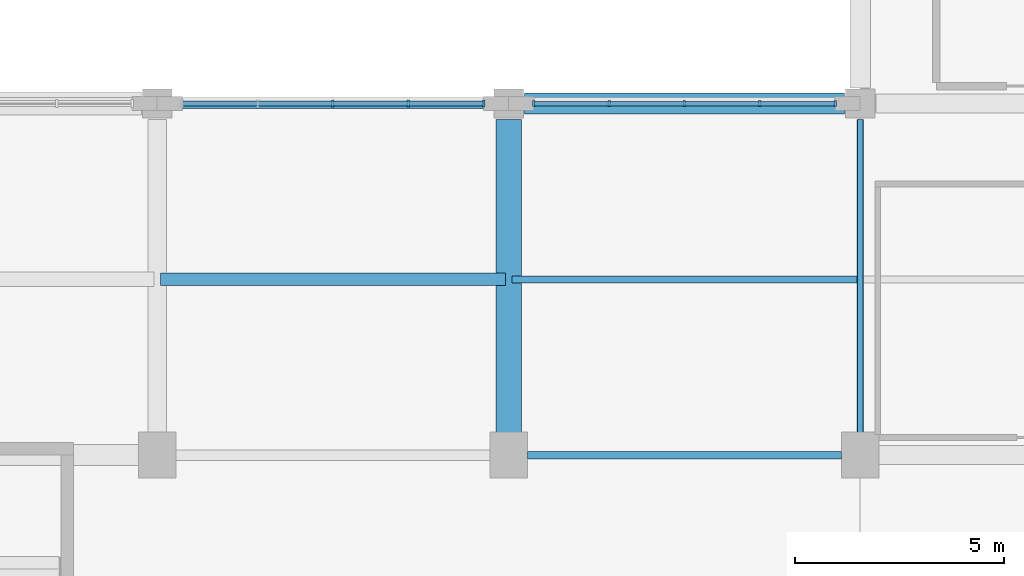
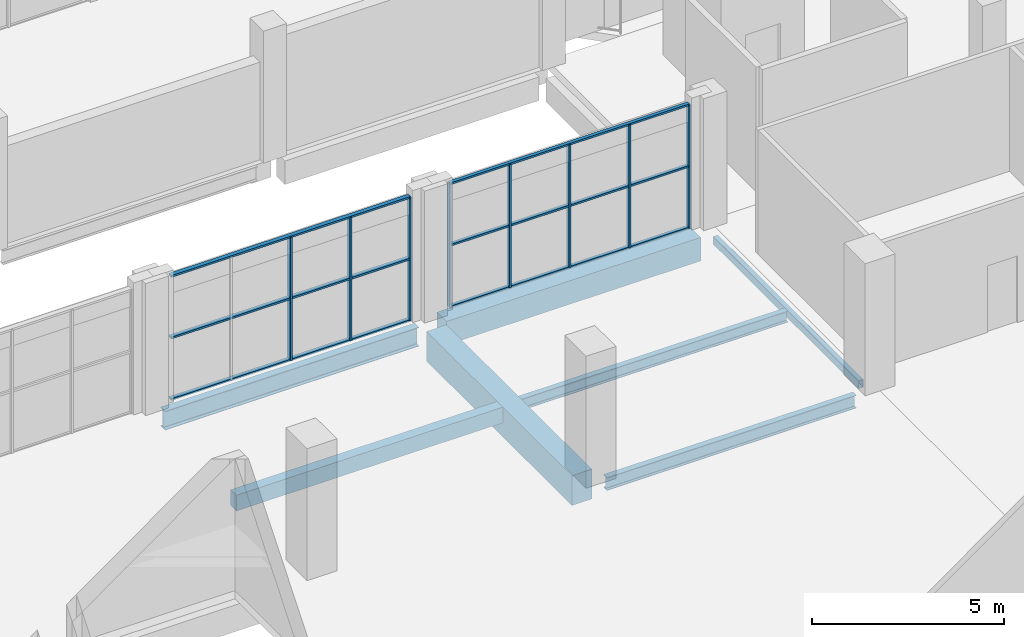
# One storey, part 22 of 59: 14 members, 7 beams, 2 elements without a shape of their own.
"""IFC4 building model written with IfcOpenShell, lengths in metres."""

from ifc_helpers import new_model, si_unit, derived_unit, direction, frame, origin, origin_2d, place, context, subcontext, project, spatial, rectangle, hollow_rectangle, i_section, extrude, material, material_profile, profile_set, type_object, element, aggregate, save


model = new_model("IFC4")

# Units and contexts
model_context = context("Model", 3, precision=1e-05, world=origin(), true_north=direction((0.0, 1.0)))
body_context = subcontext(model_context, "Body", "Model", "MODEL_VIEW")
ifc_project = project(units=[si_unit("LENGTHUNIT", "METRE"), si_unit("AREAUNIT", "SQUARE_METRE"), si_unit("VOLUMEUNIT", "CUBIC_METRE"), si_unit("PLANEANGLEUNIT", "RADIAN"), si_unit("MASSUNIT", "GRAM", prefix="KILO"), derived_unit("THERMALTRANSMITTANCEUNIT", [(si_unit("POWERUNIT", "WATT"), 1), (si_unit("LENGTHUNIT", "METRE"), -2), (si_unit("THERMODYNAMICTEMPERATUREUNIT", "KELVIN"), -1)])], contexts=[model_context])

# Site, building, storey
site_placement = place(None, origin())
site = spatial("IfcSite", under=ifc_project, at=site_placement, CompositionType="ELEMENT")
building_placement = place(site_placement, origin())
building = spatial("IfcBuilding", under=site, at=building_placement, Name="Barrovel Congress Hotel", CompositionType="ELEMENT")
storey_placement = place(building_placement, frame((0.0, 0.0, 9.89990234375)))
storey = spatial("IfcBuildingStorey", under=building, at=storey_placement, Name="L02", CompositionType="ELEMENT", Elevation=9.89990234375)

# Beams
ifc_material_1 = material(Name="Concrete C40", Category="concrete")
ifc_material_profile_1 = material_profile(ifc_material_1, rectangle(XDim=0.300048828125, YDim=0.5, at=origin_2d()), Name="RC300x500")
ifc_profile_set_1 = profile_set([ifc_material_profile_1], Name="Concrete C40")
beam_type_1 = type_object("IfcBeamType", Name="BM-RC300x500", PredefinedType="JOIST", material=ifc_profile_set_1)
beam_1_placement = place(storey_placement, frame((109.280029296875, 25.199951171875, -0.510009765625), z_axis=(1.0, 0.0, 0.0), x_axis=(0.0, 1.0, 0.0)))
element("IfcBeam", 1, at=beam_1_placement, inside=storey, type_object=beam_type_1, Name="JST:L02:109.2:25.2", PredefinedType="JOIST", context=body_context, shape_type="SweptSolid", body=[
    extrude(rectangle(XDim=0.300048828125, YDim=0.5, at=origin_2d()), origin(), (0.0, 0.0, 1.0), 8.239990234375),
])
ifc_material_profile_2 = material_profile(ifc_material_1, rectangle(XDim=0.5, YDim=0.75, at=origin_2d()), Name="RC500x750")
ifc_profile_set_2 = profile_set([ifc_material_profile_2], Name="Concrete C40")
beam_type_2 = type_object("IfcBeamType", Name="BM-RC500x750", PredefinedType="BEAM", material=ifc_profile_set_2)
beam_2_placement = place(storey_placement, frame((117.97509765625, 29.39990234375, -0.635009765625), z_axis=(1.0, 0.0, 0.0), x_axis=(0.0, 1.0, 0.0)))
element("IfcBeam", 2, at=beam_2_placement, inside=storey, type_object=beam_type_2, Name="BMX:L02:29.4:117.6-126.0", PredefinedType="BEAM", context=body_context, shape_type="SweptSolid", body=[
    extrude(rectangle(XDim=0.5, YDim=0.75, at=origin_2d()), origin(), (0.0, 0.0, 1.0), 7.64990234375),
])
ifc_material_profile_3 = material_profile(ifc_material_1, rectangle(XDim=0.60009765625, YDim=0.949951171875, at=origin_2d()), Name="RC600x950")
ifc_profile_set_3 = profile_set([ifc_material_profile_3], Name="Concrete C40")
beam_type_3 = type_object("IfcBeamType", Name="BM-RC600x950", PredefinedType="BEAM", material=ifc_profile_set_3)
beam_3_placement = place(storey_placement, frame((117.60009765625, 21.449951171875, -0.73486328125), z_axis=(0.0, 1.0, 0.0), x_axis=(-1.0, 0.0, 0.0)))
element("IfcBeam", 3, at=beam_3_placement, inside=storey, type_object=beam_type_3, Name="BMY:L02:117.6:21.0-29.4", PredefinedType="BEAM", context=body_context, shape_type="SweptSolid", body=[
    extrude(rectangle(XDim=0.60009765625, YDim=0.949951171875, at=origin_2d()), origin(), (0.0, 0.0, 1.0), 7.574951171875),
])

# Curtain wall, members
ifc_material_2 = material(Name="Anodised Aluminium Alloy 6063-T6", Category="aluminium")
curtain_wall_type = type_object("IfcCurtainWallType", Name="CW-ST-7200x3600", PredefinedType="USERDEFINED", material=ifc_material_2)
curtain_wall_1_placement = place(storey_placement, origin())
curtain_wall_1 = element("IfcCurtainWall", 4, at=curtain_wall_1_placement, inside=storey, type_object=curtain_wall_type, Name="CW:L02:CS:14", ObjectType="STICK CURTAIN WALL", PredefinedType="USERDEFINED")
ifc_material_profile_4 = material_profile(ifc_material_2, rectangle(XDim=0.06005859375, YDim=0.139892578125, at=origin_2d()), Name="AL-M60x140")
ifc_profile_set_4 = profile_set([ifc_material_profile_4], Name="Anodised Aluminium Alloy 6063-T6")
member_type_1 = type_object("IfcMemberType", Name="CWM-AL-M60x140", PredefinedType="MULLION", material=ifc_profile_set_4)
member_1_placement = place(storey_placement, frame((125.39990234375, 29.39990234375, 0.0), z_axis=(0.0, 0.0, 1.0), x_axis=(1.0, 0.0, 0.0)))
member_1 = element("IfcMember", 5, at=member_1_placement, type_object=member_type_1, Name="CW:L02:CS:14:M0", PredefinedType="MULLION", context=body_context, shape_type="SweptSolid", body=[
    extrude(rectangle(XDim=0.06005859375, YDim=0.139892578125, at=origin_2d()), origin(), (0.0, 0.0, 1.0), 3.920166015625),
])
member_2_placement = place(storey_placement, frame((123.60009765625, 29.39990234375, 0.0), z_axis=(0.0, 0.0, 1.0), x_axis=(1.0, 0.0, 0.0)))
member_2 = element("IfcMember", 6, at=member_2_placement, type_object=member_type_1, Name="CW:L02:CS:14:M1", PredefinedType="MULLION", context=body_context, shape_type="SweptSolid", body=[
    extrude(rectangle(XDim=0.06005859375, YDim=0.139892578125, at=origin_2d()), origin(), (0.0, 0.0, 1.0), 3.920166015625),
])
member_3_placement = place(storey_placement, frame((121.800048828125, 29.39990234375, 0.0), z_axis=(0.0, 0.0, 1.0), x_axis=(1.0, 0.0, 0.0)))
member_3 = element("IfcMember", 7, at=member_3_placement, type_object=member_type_1, Name="CW:L02:CS:14:M2", PredefinedType="MULLION", context=body_context, shape_type="SweptSolid", body=[
    extrude(rectangle(XDim=0.06005859375, YDim=0.139892578125, at=origin_2d()), origin(), (0.0, 0.0, 1.0), 3.920166015625),
])
member_4_placement = place(storey_placement, frame((120.0, 29.39990234375, 0.0), z_axis=(0.0, 0.0, 1.0), x_axis=(1.0, 0.0, 0.0)))
member_4 = element("IfcMember", 8, at=member_4_placement, type_object=member_type_1, Name="CW:L02:CS:14:M3", PredefinedType="MULLION", context=body_context, shape_type="SweptSolid", body=[
    extrude(rectangle(XDim=0.06005859375, YDim=0.139892578125, at=origin_2d()), origin(), (0.0, 0.0, 1.0), 3.920166015625),
])
member_5_placement = place(storey_placement, frame((118.199951171875, 29.39990234375, 0.0), z_axis=(0.0, 0.0, 1.0), x_axis=(1.0, 0.0, 0.0)))
member_5 = element("IfcMember", 9, at=member_5_placement, type_object=member_type_1, Name="CW:L02:CS:14:M4", PredefinedType="MULLION", context=body_context, shape_type="SweptSolid", body=[
    extrude(rectangle(XDim=0.06005859375, YDim=0.139892578125, at=origin_2d()), origin(), (0.0, 0.0, 1.0), 3.920166015625),
])

curtain_wall_2_placement = place(storey_placement, origin())
curtain_wall_2 = element("IfcCurtainWall", 10, at=curtain_wall_2_placement, inside=storey, type_object=curtain_wall_type, Name="CW:L02:CS:13", ObjectType="STICK CURTAIN WALL", PredefinedType="USERDEFINED")
ifc_material_profile_5 = material_profile(ifc_material_2, rectangle(XDim=0.06005859375, YDim=0.1650390625, at=origin_2d()), Name="AL-M60x165")
ifc_profile_set_5 = profile_set([ifc_material_profile_5], Name="Anodised Aluminium Alloy 6063-T6")
member_type_2 = type_object("IfcMemberType", Name="CWM-AL-M60x165", PredefinedType="MULLION", material=ifc_profile_set_5)
member_6_placement = place(storey_placement, frame((117.0, 29.39990234375, 0.0), z_axis=(0.0, 0.0, 1.0), x_axis=(1.0, 0.0, 0.0)))
member_6 = element("IfcMember", 11, at=member_6_placement, type_object=member_type_2, Name="CW:L02:CS:13:M0", PredefinedType="MULLION", context=body_context, shape_type="SweptSolid", body=[
    extrude(rectangle(XDim=0.06005859375, YDim=0.1650390625, at=origin_2d()), origin(), (0.0, 0.0, 1.0), 3.920166015625),
])
member_7_placement = place(storey_placement, frame((115.199951171875, 29.39990234375, 0.0), z_axis=(0.0, 0.0, 1.0), x_axis=(1.0, 0.0, 0.0)))
member_7 = element("IfcMember", 12, at=member_7_placement, type_object=member_type_2, Name="CW:L02:CS:13:M1", PredefinedType="MULLION", context=body_context, shape_type="SweptSolid", body=[
    extrude(rectangle(XDim=0.06005859375, YDim=0.1650390625, at=origin_2d()), origin(), (0.0, 0.0, 1.0), 3.920166015625),
])
member_8_placement = place(storey_placement, frame((113.39990234375, 29.39990234375, 0.0), z_axis=(0.0, 0.0, 1.0), x_axis=(1.0, 0.0, 0.0)))
member_8 = element("IfcMember", 13, at=member_8_placement, type_object=member_type_2, Name="CW:L02:CS:13:M2", PredefinedType="MULLION", context=body_context, shape_type="SweptSolid", body=[
    extrude(rectangle(XDim=0.06005859375, YDim=0.1650390625, at=origin_2d()), origin(), (0.0, 0.0, 1.0), 3.920166015625),
])

# Member
ifc_material_profile_6 = material_profile(ifc_material_2, rectangle(XDim=0.10498046875, YDim=0.06005859375, at=origin_2d()), Name="AL-T60x105")
ifc_profile_set_6 = profile_set([ifc_material_profile_6], Name="Anodised Aluminium Alloy 6063-T6")
member_type_3 = type_object("IfcMemberType", Name="CWT-AL-T60x105", PredefinedType="USERDEFINED", material=ifc_profile_set_6)
member_9_placement = place(storey_placement, frame((125.39990234375, 29.39990234375, 0.0), z_axis=(-1.0, 0.0, 0.0), x_axis=(0.0, -1.0, 0.0)))
member_9 = element("IfcMember", 14, at=member_9_placement, type_object=member_type_3, Name="CW:L02:CS:14:T0", ObjectType="TRANSOM", PredefinedType="USERDEFINED", context=body_context, shape_type="SweptSolid", body=[
    extrude(rectangle(XDim=0.10498046875, YDim=0.06005859375, at=origin_2d()), origin(), (0.0, 0.0, 1.0), 7.199951171875),
])

member_10_placement = place(storey_placement, frame((125.39990234375, 29.39990234375, 1.960205078125), z_axis=(-1.0, 0.0, 0.0), x_axis=(0.0, -1.0, 0.0)))
member_10 = element("IfcMember", 15, at=member_10_placement, type_object=member_type_3, Name="CW:L02:CS:14:T1", ObjectType="TRANSOM", PredefinedType="USERDEFINED", context=body_context, shape_type="SweptSolid", body=[
    extrude(rectangle(XDim=0.10498046875, YDim=0.06005859375, at=origin_2d()), origin(), (0.0, 0.0, 1.0), 7.199951171875),
])

member_11_placement = place(storey_placement, frame((125.39990234375, 29.39990234375, 3.920166015625), z_axis=(-1.0, 0.0, 0.0), x_axis=(0.0, -1.0, 0.0)))
member_11 = element("IfcMember", 16, at=member_11_placement, type_object=member_type_3, Name="CW:L02:CS:14:T2", ObjectType="TRANSOM", PredefinedType="USERDEFINED", context=body_context, shape_type="SweptSolid", body=[
    extrude(rectangle(XDim=0.10498046875, YDim=0.06005859375, at=origin_2d()), origin(), (0.0, 0.0, 1.0), 7.199951171875),
])

aggregate(curtain_wall_1, [member_1, member_2, member_3, member_4, member_5, member_9, member_10, member_11])

ifc_material_profile_7 = material_profile(ifc_material_2, rectangle(XDim=0.125, YDim=0.06005859375, at=origin_2d()), Name="AL-T60x125")
ifc_profile_set_7 = profile_set([ifc_material_profile_7], Name="Anodised Aluminium Alloy 6063-T6")
member_type_4 = type_object("IfcMemberType", Name="CWT-AL-T60x125", PredefinedType="USERDEFINED", material=ifc_profile_set_7)
member_12_placement = place(storey_placement, frame((117.0, 29.39990234375, 0.0), z_axis=(-1.0, 0.0, 0.0), x_axis=(0.0, -1.0, 0.0)))
member_12 = element("IfcMember", 17, at=member_12_placement, type_object=member_type_4, Name="CW:L02:CS:13:T0", ObjectType="TRANSOM", PredefinedType="USERDEFINED", context=body_context, shape_type="SweptSolid", body=[
    extrude(rectangle(XDim=0.125, YDim=0.06005859375, at=origin_2d()), origin(), (0.0, 0.0, 1.0), 7.199951171875),
])

member_13_placement = place(storey_placement, frame((117.0, 29.39990234375, 1.960205078125), z_axis=(-1.0, 0.0, 0.0), x_axis=(0.0, -1.0, 0.0)))
member_13 = element("IfcMember", 18, at=member_13_placement, type_object=member_type_4, Name="CW:L02:CS:13:T1", ObjectType="TRANSOM", PredefinedType="USERDEFINED", context=body_context, shape_type="SweptSolid", body=[
    extrude(rectangle(XDim=0.125, YDim=0.06005859375, at=origin_2d()), origin(), (0.0, 0.0, 1.0), 7.199951171875),
])

member_14_placement = place(storey_placement, frame((117.0, 29.39990234375, 3.920166015625), z_axis=(-1.0, 0.0, 0.0), x_axis=(0.0, -1.0, 0.0)))
member_14 = element("IfcMember", 19, at=member_14_placement, type_object=member_type_4, Name="CW:L02:CS:13:T2", ObjectType="TRANSOM", PredefinedType="USERDEFINED", context=body_context, shape_type="SweptSolid", body=[
    extrude(rectangle(XDim=0.125, YDim=0.06005859375, at=origin_2d()), origin(), (0.0, 0.0, 1.0), 7.199951171875),
])

aggregate(curtain_wall_2, [member_6, member_7, member_8, member_12, member_13, member_14])

# Beams
ifc_material_3 = material(Name="Steel ASTM A500 Grade C", Category="steel")
ifc_material_profile_8 = material_profile(ifc_material_3, hollow_rectangle(XDim=0.15234375, YDim=0.25390625, WallThickness=0.0087890625, InnerFilletRadius=0.0087890625, OuterFilletRadius=0.017578125, at=origin_2d()), Name="HSS254x152x9.5")
ifc_profile_set_8 = profile_set([ifc_material_profile_8], Name="Steel ASTM A500 Grade C")
beam_type_4 = type_object("IfcBeamType", Name="SBM-HSS254x152x9.5", PredefinedType="SPANDREL", material=ifc_profile_set_8)
beam_4_placement = place(storey_placement, frame((126.0, 21.449951171875, -0.386962890625), z_axis=(0.0, 1.0, 0.0), x_axis=(-1.0, 0.0, 0.0)))
element("IfcBeam", 20, at=beam_4_placement, inside=storey, type_object=beam_type_4, Name="BMY:L02:126.0:21.0-29.4", PredefinedType="SPANDREL", context=body_context, shape_type="SweptSolid", body=[
    extrude(hollow_rectangle(XDim=0.15234375, YDim=0.25390625, WallThickness=0.0087890625, InnerFilletRadius=0.0087890625, OuterFilletRadius=0.017578125, at=origin_2d()), origin(), (0.0, 0.0, 1.0), 7.574951171875),
])
ifc_material_4 = material(Name="Steel ASTM A992 Grade 50", Category="steel")
ifc_material_profile_9 = material_profile(ifc_material_4, i_section(OverallWidth=0.172119140625, OverallDepth=0.35791015625, WebThickness=0.0078125, FlangeThickness=0.01318359375, FilletRadius=0.011962890625, at=origin_2d()), Name="W360x57")
ifc_profile_set_9 = profile_set([ifc_material_profile_9], Name="Steel ASTM A992 Grade 50")
beam_type_5 = type_object("IfcBeamType", Name="SBM-W360x57", PredefinedType="JOIST", material=ifc_profile_set_9)
beam_5_placement = place(storey_placement, frame((117.679931640625, 25.199951171875, -0.43896484375), z_axis=(1.0, 0.0, 0.0), x_axis=(0.0, 1.0, 0.0)))
element("IfcBeam", 21, at=beam_5_placement, inside=storey, type_object=beam_type_5, Name="JST:L02:117.6:25.2", PredefinedType="JOIST", context=body_context, shape_type="SweptSolid", body=[
    extrude(i_section(OverallWidth=0.172119140625, OverallDepth=0.35791015625, WebThickness=0.0078125, FlangeThickness=0.01318359375, FilletRadius=0.011962890625, at=origin_2d()), origin(), (0.0, 0.0, 1.0), 8.239990234375),
])
ifc_material_profile_10 = material_profile(ifc_material_4, i_section(OverallWidth=0.178955078125, OverallDepth=0.409912109375, WebThickness=0.0087890625, FlangeThickness=0.014404296875, FilletRadius=0.011962890625, at=origin_2d()), Name="W410x67")
ifc_profile_set_10 = profile_set([ifc_material_profile_10], Name="Steel ASTM A992 Grade 50")
beam_type_6 = type_object("IfcBeamType", Name="SBM-W410x67", PredefinedType="BEAM", material=ifc_profile_set_10)
beam_6_placement = place(storey_placement, frame((118.050048828125, 21.0, -0.46484375), z_axis=(1.0, 0.0, 0.0), x_axis=(0.0, 1.0, 0.0)))
element("IfcBeam", 22, at=beam_6_placement, inside=storey, type_object=beam_type_6, Name="BMX:L02:21.0:117.6-126.0", PredefinedType="BEAM", context=body_context, shape_type="SweptSolid", body=[
    extrude(i_section(OverallWidth=0.178955078125, OverallDepth=0.409912109375, WebThickness=0.0087890625, FlangeThickness=0.014404296875, FilletRadius=0.011962890625, at=origin_2d()), origin(), (0.0, 0.0, 1.0), 7.5),
])
ifc_material_profile_11 = material_profile(ifc_material_4, i_section(OverallWidth=0.22802734375, OverallDepth=0.60302734375, WebThickness=0.010498046875, FlangeThickness=0.014892578125, FilletRadius=0.014892578125, at=origin_2d()), Name="W610x101")
ifc_profile_set_11 = profile_set([ifc_material_profile_11], Name="Steel ASTM A992 Grade 50")
beam_type_7 = type_object("IfcBeamType", Name="SBM-W610x101", PredefinedType="BEAM", material=ifc_profile_set_11)
beam_7_placement = place(storey_placement, frame((109.574951171875, 29.39990234375, -0.5615234375), z_axis=(1.0, 0.0, 0.0), x_axis=(0.0, 1.0, 0.0)))
element("IfcBeam", 23, at=beam_7_placement, inside=storey, type_object=beam_type_7, Name="BMX:L02:29.4:109.2-117.6", PredefinedType="BEAM", context=body_context, shape_type="SweptSolid", body=[
    extrude(i_section(OverallWidth=0.22802734375, OverallDepth=0.60302734375, WebThickness=0.010498046875, FlangeThickness=0.014892578125, FilletRadius=0.014892578125, at=origin_2d()), origin(), (0.0, 0.0, 1.0), 7.650146484375),
])

save(model, "model.ifc")
